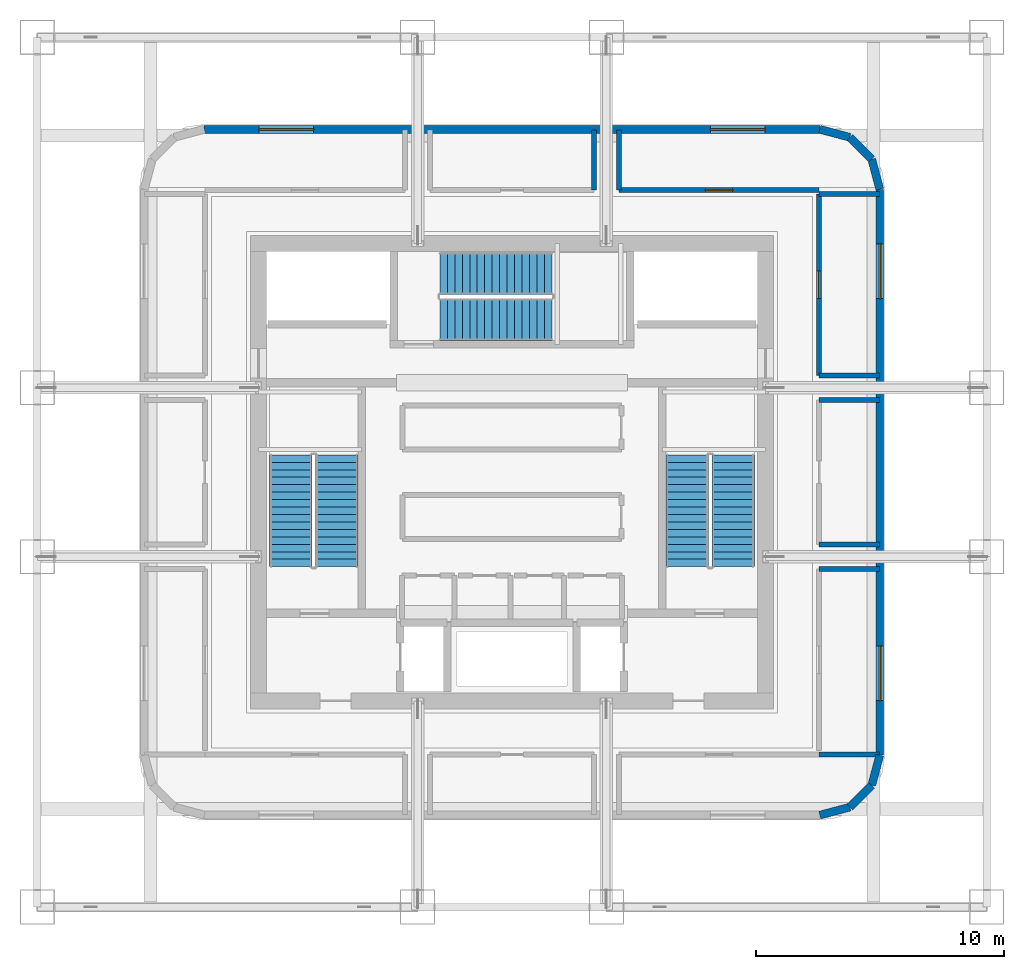
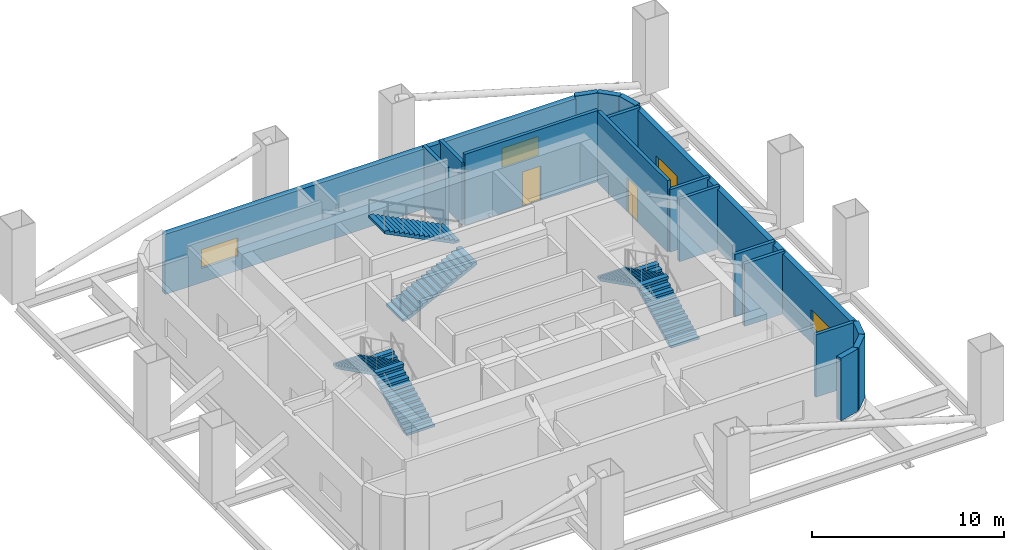
# One storey, part 6 of 9: 18 walls, 6 stair flights, 4 windows, 2 doors, 6 openings, 3 elements without a shape of their own.
"""IFC4 building model written with IfcOpenShell, lengths in metres."""

import ifcopenshell
import ifcopenshell.guid

model = None  # the IFC model being written
_history = None  # IfcOwnerHistory: only IFC2X3 demands one
_inside = {}  # id of a spatial element -> (the spatial element, [elements in it])
_under = {}  # id of a project, library or spatial element -> (it, [spatial elements below it])
_declared = {}  # id of a project -> (the project, [libraries it declares])
_typed = {}  # id of a type object -> (the type object, [elements of that type])
_made_of = {}  # id of a material, layer set ... -> (it, [elements and type objects made of it])


def new_model(schema):
    """Start an empty IFC model of exactly this schema.

    Asked for "IFC4X3", IfcOpenShell would pick the latest addendum, in which some entities
    have other attributes; the version numbers below select the first issue.
    IFC2X3 requires an IfcOwnerHistory on every rooted entity: one is made here for all.
    """
    global model, _history
    if schema == "IFC4X3":
        model = ifcopenshell.file(schema_version=(4, 3, 0, 0))
    else:
        model = ifcopenshell.file(schema=schema)
    _inside.clear()
    _under.clear()
    _declared.clear()
    _typed.clear()
    _made_of.clear()
    _history = None
    if model.schema == "IFC2X3":
        org = make("IfcOrganization", Name="unknown")
        user = make(
            "IfcPersonAndOrganization",
            ThePerson=make("IfcPerson", FamilyName="unknown"),
            TheOrganization=org,
        )
        app = make(
            "IfcApplication",
            ApplicationDeveloper=org,
            Version="unknown",
            ApplicationFullName="unknown",
            ApplicationIdentifier="unknown",
        )
        _history = make(
            "IfcOwnerHistory",
            OwningUser=user,
            OwningApplication=app,
            ChangeAction="ADDED",
            CreationDate=0,
        )
    return model


def make(cls, **values):
    """One entity of the class cls with the attributes given. An attribute that is None is left unset."""
    return model.create_entity(
        cls, **{name: value for name, value in values.items() if value is not None}
    )


def rooted(cls, **values):
    """An entity with a GlobalId (a new one), such as an element, a storey or a relation."""
    return make(cls, GlobalId=ifcopenshell.guid.new(), OwnerHistory=_history, **values)


def si_unit(unit_type, name, prefix=None):
    """IfcSIUnit, for example si_unit("LENGTHUNIT", "METRE", prefix="MILLI")."""
    return make("IfcSIUnit", UnitType=unit_type, Prefix=prefix, Name=name)


def assignment(units):
    """IfcUnitAssignment: the units of a project."""
    return None if units is None else make("IfcUnitAssignment", Units=units)


def point(xyz):
    """IfcCartesianPoint."""
    return None if xyz is None else make("IfcCartesianPoint", Coordinates=xyz)


def direction(xyz):
    """IfcDirection."""
    return None if xyz is None else make("IfcDirection", DirectionRatios=xyz)


def frame(location, z_axis=None, x_axis=None):
    """IfcAxis2Placement3D, a coordinate frame: its origin and axes. An axis left out is left unset."""
    return make(
        "IfcAxis2Placement3D",
        Location=point(location),
        Axis=direction(z_axis),
        RefDirection=direction(x_axis),
    )


def frame_2d(location, x_axis=None):
    """IfcAxis2Placement2D, a coordinate frame in the plane: its origin and x axis."""
    return make(
        "IfcAxis2Placement2D", Location=point(location), RefDirection=direction(x_axis)
    )


def origin():
    """The frame at (0, 0, 0) with its axes left unset."""
    return frame((0.0, 0.0, 0.0))


def place(relative_to, where):
    """IfcLocalPlacement: puts the frame where relative to a parent placement (None: the world)."""
    return make(
        "IfcLocalPlacement", PlacementRelTo=relative_to, RelativePlacement=where
    )


def context(
    kind, dimensions, precision=None, world=None, true_north=None, identifier=None
):
    """IfcGeometricRepresentationContext, for example the 3D "Model" context."""
    return make(
        "IfcGeometricRepresentationContext",
        ContextIdentifier=identifier,
        ContextType=kind,
        CoordinateSpaceDimension=dimensions,
        Precision=precision,
        WorldCoordinateSystem=world,
        TrueNorth=true_north,
    )


def subcontext(parent, identifier, kind, view, scale=None):
    """IfcGeometricRepresentationSubContext, for example "Body" below "Model"."""
    return make(
        "IfcGeometricRepresentationSubContext",
        ContextIdentifier=identifier,
        ContextType=kind,
        ParentContext=parent,
        TargetScale=scale,
        TargetView=view,
    )


def project(units=None, contexts=None):
    """IfcProject with its units and contexts."""
    return rooted(
        "IfcProject",
        Name="project",
        RepresentationContexts=contexts,
        UnitsInContext=assignment(units),
    )


def spatial(cls, under=None, at=None, **own):
    """A site, building, storey or space (cls), placed at a placement, below another one or the project."""
    s = rooted(cls, ObjectPlacement=at, **own)
    if under is not None:
        _under.setdefault(under.id(), (under, []))[1].append(s)
    return s


def polyline(points):
    """IfcPolyline through the points."""
    return make("IfcPolyline", Points=[point(p) for p in points])


def profile(cls, at=None, kind="AREA", **sizes):
    """A parametric profile (cls). Its sizes go by their IFC names, for example OverallWidth=200.0."""
    return make(cls, ProfileType=kind, Position=at, **sizes)


def rectangle(**sizes):
    """IfcRectangleProfileDef."""
    return profile("IfcRectangleProfileDef", **sizes)


def outline(outer, holes=None, kind="AREA"):
    """IfcArbitraryClosedProfileDef: a profile drawn as a closed curve; with holes, ...WithVoids."""
    if holes is None:
        return make("IfcArbitraryClosedProfileDef", ProfileType=kind, OuterCurve=outer)
    return make(
        "IfcArbitraryProfileDefWithVoids",
        ProfileType=kind,
        OuterCurve=outer,
        InnerCurves=holes,
    )


def extrude(swept, where, along, depth):
    """IfcExtrudedAreaSolid: the profile swept, set in the frame where, extruded along a direction by depth."""
    return make(
        "IfcExtrudedAreaSolid",
        SweptArea=swept,
        Position=where,
        ExtrudedDirection=direction(along),
        Depth=depth,
    )


def shape(context_of_items, identifier, shape_type, items):
    """IfcShapeRepresentation: the items that make up one representation, for example the "Body"."""
    return make(
        "IfcShapeRepresentation",
        ContextOfItems=context_of_items,
        RepresentationIdentifier=identifier,
        RepresentationType=shape_type,
        Items=items,
    )


def material(Name=None, Category=None):
    """IfcMaterial."""
    return make("IfcMaterial", Name=Name, Category=Category)


def layer(
    of_material, thickness, ventilated=None, Name=None, Category=None, Priority=None
):
    """IfcMaterialLayer: one layer of a wall or slab, of a material (None: an air gap)."""
    return make(
        "IfcMaterialLayer",
        Material=of_material,
        LayerThickness=thickness,
        IsVentilated=ventilated,
        Name=Name,
        Category=Category,
        Priority=Priority,
    )


def layer_set(layers, Name=None):
    """IfcMaterialLayerSet."""
    return make("IfcMaterialLayerSet", MaterialLayers=layers, LayerSetName=Name)


def made_of(thing, what):
    """Note that an element or type object is made of a material, layer set ...; save() writes the relation."""
    if what is not None:
        _made_of.setdefault(what.id(), (what, []))[1].append(thing)
    return thing


def type_object(cls, material=None, **own):
    """A type object (cls), such as IfcWallType, which elements share."""
    return made_of(rooted(cls, **own), material)


def element(
    cls,
    number,
    at=None,
    inside=None,
    cuts=None,
    type_object=None,
    material=None,
    context=None,
    identifier="Body",
    shape_type=None,
    held_by="IfcProductDefinitionShape",
    body=None,
    shapes=None,
    **own,
):
    """One element of the class cls, such as IfcWall. Its Tag is "e" and its number.

    at: its placement. inside: the storey or other place that contains it. cuts: it is an
    opening in that element (IfcRelVoidsElement). A single representation is given by context,
    identifier, shape_type and body (its items); several are given by shapes. held_by: the class
    of the entity that holds the representations. save() writes the other relations.
    """
    e = rooted(cls, Tag="e%d" % number, ObjectPlacement=at, **own)
    if body is not None:
        shapes = [shape(context, identifier, shape_type, body)]
    if shapes is not None:
        e.Representation = make(held_by, Representations=shapes)
    if inside is not None:
        _inside.setdefault(inside.id(), (inside, []))[1].append(e)
    if cuts is not None:
        rooted(
            "IfcRelVoidsElement", RelatingBuildingElement=cuts, RelatedOpeningElement=e
        )
    if type_object is not None:
        _typed.setdefault(type_object.id(), (type_object, []))[1].append(e)
    return made_of(e, material)


def fill(opening, filler):
    """IfcRelFillsElement: the door or window that sits in an opening."""
    return rooted(
        "IfcRelFillsElement",
        RelatingOpeningElement=opening,
        RelatedBuildingElement=filler,
    )


def aggregate(whole, parts):
    """IfcRelAggregates: a whole, such as a stair, and the parts it consists of."""
    return rooted("IfcRelAggregates", RelatingObject=whole, RelatedObjects=parts)


def save(model, path):
    """Write the relations noted so far, then the file.

    IfcRelAggregates (storeys below a building ...), IfcRelContainedInSpatialStructure (elements
    in a storey), IfcRelDefinesByType, IfcRelAssociatesMaterial and IfcRelDeclares: one each for
    every whole, place, type object, material and project.
    """
    for whole, parts in _under.values():
        aggregate(whole, parts)
    for where, things in _inside.values():
        rooted(
            "IfcRelContainedInSpatialStructure",
            RelatedElements=things,
            RelatingStructure=where,
        )
    for kind, things in _typed.values():
        rooted("IfcRelDefinesByType", RelatedObjects=things, RelatingType=kind)
    for what, things in _made_of.values():
        rooted("IfcRelAssociatesMaterial", RelatedObjects=things, RelatingMaterial=what)
    for by, libraries in _declared.values():
        rooted("IfcRelDeclares", RelatingContext=by, RelatedDefinitions=libraries)
    model.write(path)


model = new_model("IFC4")

# Units and contexts
model_context = context("Model", 3, precision=1e-05, world=origin(), true_north=direction((0.0, 1.0)))
body_context = subcontext(model_context, "Body", "Model", "MODEL_VIEW")
ifc_project = project(units=[si_unit("LENGTHUNIT", "METRE"), si_unit("AREAUNIT", "SQUARE_METRE"), si_unit("VOLUMEUNIT", "CUBIC_METRE"), si_unit("PLANEANGLEUNIT", "RADIAN"), si_unit("MASSUNIT", "GRAM", prefix="KILO")], contexts=[model_context])

# Site, building, storey
site_placement = place(None, origin())
site = spatial("IfcSite", under=ifc_project, at=site_placement, CompositionType="ELEMENT")
building_placement = place(site_placement, origin())
building = spatial("IfcBuilding", under=site, at=building_placement, Name="Punatoya Terracotta Tower", CompositionType="ELEMENT")
storey_placement = place(building_placement, frame((0.0, 0.0, 130.199951171875)))
storey = spatial("IfcBuildingStorey", under=building, at=storey_placement, Name="L30", CompositionType="ELEMENT", Elevation=130.199951171875)

# Walls
ifc_material_1 = material(Name="Precast concrete C40/50", Category="concrete")
ifc_layer_1 = layer(ifc_material_1, 0.320068359375)
ifc_layer_set_1 = layer_set([ifc_layer_1], Name="Precast concrete C40/50")
wall_type_1 = type_object("IfcWallType", Name="WL-EXT-320", PredefinedType="SOLIDWALL", material=ifc_layer_set_1)
wall_1_placement = place(storey_placement, frame((12.386962890625, -13.800048828125, 0.0), z_axis=(0.0, 0.0, 1.0), x_axis=(0.966283375382, 0.25748094776, 0.0)))
element("IfcWall", 1, at=wall_1_placement, inside=storey, type_object=wall_type_1, Name="L30 Rounded Terracotta Corner Pier 02", PredefinedType="SOLIDWALL", context=body_context, shape_type="SweptSolid", body=[
    extrude(rectangle(XDim=1.25439453125, YDim=0.320068359375, at=frame_2d((0.627197265625, 0.0))), origin(), (0.0, 0.0, 1.0), 3.984130859375),
])
wall_2_placement = place(storey_placement, frame((13.59912109375, -13.47705078125, 0.0), z_axis=(0.0, 0.0, 1.0), x_axis=(0.707106781187, 0.707106781187, 0.0)))
element("IfcWall", 2, at=wall_2_placement, inside=storey, type_object=wall_type_1, Name="L30 Rounded Terracotta Corner Pier 03", PredefinedType="SOLIDWALL", context=body_context, shape_type="SweptSolid", body=[
    extrude(rectangle(XDim=1.24169921875, YDim=0.320068359375, at=frame_2d((0.620849609375, 0.0))), origin(), (0.0, 0.0, 1.0), 3.984130859375),
])
wall_3_placement = place(storey_placement, frame((14.47705078125, -12.59912109375, 0.0), z_axis=(0.0, 0.0, 1.0), x_axis=(0.25748094776, 0.966283375382, 0.0)))
element("IfcWall", 3, at=wall_3_placement, inside=storey, type_object=wall_type_1, Name="L30 Rounded Terracotta Corner Pier 04", PredefinedType="SOLIDWALL", context=body_context, shape_type="SweptSolid", body=[
    extrude(rectangle(XDim=1.25439453125, YDim=0.320068359375, at=frame_2d((0.627197265625, 0.0))), origin(), (0.0, 0.0, 1.0), 3.984130859375),
])

# Wall, openings, windows
wall_4_placement = place(storey_placement, frame((14.800048828125, -11.386962890625, 0.0), z_axis=(0.0, 0.0, 1.0), x_axis=(0.0, 1.0, 0.0)))
wall_4 = element("IfcWall", 4, at=wall_4_placement, inside=storey, type_object=wall_type_1, Name="L30 Terracotta Louvre Plant Enclosure E", PredefinedType="SOLIDWALL", context=body_context, shape_type="SweptSolid", body=[
    extrude(rectangle(XDim=22.77392578125, YDim=0.320068359375, at=frame_2d((11.386962890625, 0.0))), origin(), (0.0, 0.0, 1.0), 3.833984375),
])
opening_1_placement = place(wall_4_placement, frame((2.199951171875, 0.0, 0.89990234375)))
opening_1 = element("IfcOpeningElement", 5, at=opening_1_placement, cuts=wall_4, Name="Opening WN-09", PredefinedType="OPENING", context=body_context, shape_type="SweptSolid", body=[
    extrude(rectangle(XDim=2.199951171875, YDim=1.199951171875, at=frame_2d((1.10009765625, 0.60009765625))), frame((0.0, 0.169921875, 0.0), z_axis=(0.0, -1.0, 0.0), x_axis=(1.0, 0.0, 0.0)), (0.0, 0.0, 1.0), 0.340087890625),
])
opening_2_placement = place(wall_4_placement, frame((18.373779296875, 0.0, 0.89990234375)))
opening_2 = element("IfcOpeningElement", 6, at=opening_2_placement, cuts=wall_4, Name="Opening WN-09", PredefinedType="OPENING", context=body_context, shape_type="SweptSolid", body=[
    extrude(rectangle(XDim=2.199951171875, YDim=1.199951171875, at=frame_2d((1.10009765625, 0.60009765625))), frame((0.0, 0.169921875, 0.0), z_axis=(0.0, -1.0, 0.0), x_axis=(1.0, 0.0, 0.0)), (0.0, 0.0, 1.0), 0.340087890625),
])
ifc_material_2 = material(Name="Aluminium 6063-T6 + Double Low-E Glass", Category="aluminium")
window_type = type_object("IfcWindowType", Name="WIN-CLR-2200", PartitioningType="SINGLE_PANEL", PredefinedType="WINDOW", material=ifc_material_2)
window_1_placement = place(opening_1_placement, origin())
window_1 = element("IfcWindow", 7, at=window_1_placement, inside=storey, type_object=window_type, Name="L30 Refuge Daylight Window E1", OverallHeight=1.199951171875, OverallWidth=2.199951171875, PartitioningType="SINGLE_PANEL", PredefinedType="WINDOW", context=body_context, shape_type="SweptSolid", body=[
    extrude(rectangle(XDim=2.199951171875, YDim=1.199951171875, at=frame_2d((1.10009765625, 0.60009765625))), frame((0.0, 0.030029296875, 0.0), z_axis=(0.0, -1.0, 0.0), x_axis=(1.0, 0.0, 0.0)), (0.0, 0.0, 1.0), 0.06005859375),
])
fill(opening_1, window_1)
window_2_placement = place(opening_2_placement, origin())
window_2 = element("IfcWindow", 8, at=window_2_placement, inside=storey, type_object=window_type, Name="L30 Refuge Daylight Window E2", OverallHeight=1.199951171875, OverallWidth=2.199951171875, PartitioningType="SINGLE_PANEL", PredefinedType="WINDOW", context=body_context, shape_type="SweptSolid", body=[
    extrude(rectangle(XDim=2.199951171875, YDim=1.199951171875, at=frame_2d((1.10009765625, 0.60009765625))), frame((0.0, 0.030029296875, 0.0), z_axis=(0.0, -1.0, 0.0), x_axis=(1.0, 0.0, 0.0)), (0.0, 0.0, 1.0), 0.06005859375),
])
fill(opening_2, window_2)

# Walls
wall_5_placement = place(storey_placement, frame((14.800048828125, 11.386962890625, 0.0), z_axis=(0.0, 0.0, 1.0), x_axis=(-0.25748094776, 0.966283375382, 0.0)))
element("IfcWall", 9, at=wall_5_placement, inside=storey, type_object=wall_type_1, Name="L30 Rounded Terracotta Corner Pier 06", PredefinedType="SOLIDWALL", context=body_context, shape_type="SweptSolid", body=[
    extrude(rectangle(XDim=1.25439453125, YDim=0.320068359375, at=frame_2d((0.627197265625, 0.0))), origin(), (0.0, 0.0, 1.0), 3.984130859375),
])
wall_6_placement = place(storey_placement, frame((14.47705078125, 12.59912109375, 0.0), z_axis=(0.0, 0.0, 1.0), x_axis=(-0.707106781187, 0.707106781187, 0.0)))
element("IfcWall", 10, at=wall_6_placement, inside=storey, type_object=wall_type_1, Name="L30 Rounded Terracotta Corner Pier 07", PredefinedType="SOLIDWALL", context=body_context, shape_type="SweptSolid", body=[
    extrude(rectangle(XDim=1.24169921875, YDim=0.320068359375, at=frame_2d((0.620849609375, 0.0))), origin(), (0.0, 0.0, 1.0), 3.984130859375),
])
wall_7_placement = place(storey_placement, frame((13.59912109375, 13.47705078125, 0.0), z_axis=(0.0, 0.0, 1.0), x_axis=(-0.966283375382, 0.25748094776, 0.0)))
element("IfcWall", 11, at=wall_7_placement, inside=storey, type_object=wall_type_1, Name="L30 Rounded Terracotta Corner Pier 08", PredefinedType="SOLIDWALL", context=body_context, shape_type="SweptSolid", body=[
    extrude(rectangle(XDim=1.25439453125, YDim=0.320068359375, at=frame_2d((0.627197265625, 0.0))), origin(), (0.0, 0.0, 1.0), 3.984130859375),
])

# Wall, openings, windows
wall_8_placement = place(storey_placement, frame((12.386962890625, 13.800048828125, 0.0), z_axis=(0.0, 0.0, 1.0), x_axis=(-1.0, 0.0, 0.0)))
wall_8 = element("IfcWall", 12, at=wall_8_placement, inside=storey, type_object=wall_type_1, Name="L30 Terracotta Louvre Plant Enclosure N", PredefinedType="SOLIDWALL", context=body_context, shape_type="SweptSolid", body=[
    extrude(rectangle(XDim=24.77392578125, YDim=0.320068359375, at=frame_2d((12.386962890625, 0.0))), origin(), (0.0, 0.0, 1.0), 3.833984375),
])
opening_3_placement = place(wall_8_placement, frame((2.199951171875, 0.0, 0.89990234375)))
opening_3 = element("IfcOpeningElement", 13, at=opening_3_placement, cuts=wall_8, Name="Opening WN-09", PredefinedType="OPENING", context=body_context, shape_type="SweptSolid", body=[
    extrude(rectangle(XDim=2.199951171875, YDim=1.199951171875, at=frame_2d((1.10009765625, 0.60009765625))), frame((0.0, 0.169921875, 0.0), z_axis=(0.0, -1.0, 0.0), x_axis=(1.0, 0.0, 0.0)), (0.0, 0.0, 1.0), 0.340087890625),
])
opening_4_placement = place(wall_8_placement, frame((20.373779296875, 0.0, 0.89990234375)))
opening_4 = element("IfcOpeningElement", 14, at=opening_4_placement, cuts=wall_8, Name="Opening WN-09", PredefinedType="OPENING", context=body_context, shape_type="SweptSolid", body=[
    extrude(rectangle(XDim=2.199951171875, YDim=1.199951171875, at=frame_2d((1.10009765625, 0.60009765625))), frame((0.0, 0.169921875, 0.0), z_axis=(0.0, -1.0, 0.0), x_axis=(1.0, 0.0, 0.0)), (0.0, 0.0, 1.0), 0.340087890625),
])
window_3_placement = place(opening_3_placement, origin())
window_3 = element("IfcWindow", 15, at=window_3_placement, inside=storey, type_object=window_type, Name="L30 Refuge Daylight Window N1", OverallHeight=1.199951171875, OverallWidth=2.199951171875, PartitioningType="SINGLE_PANEL", PredefinedType="WINDOW", context=body_context, shape_type="SweptSolid", body=[
    extrude(rectangle(XDim=2.199951171875, YDim=1.199951171875, at=frame_2d((1.10009765625, 0.60009765625))), frame((0.0, 0.030029296875, 0.0), z_axis=(0.0, -1.0, 0.0), x_axis=(1.0, 0.0, 0.0)), (0.0, 0.0, 1.0), 0.06005859375),
])
fill(opening_3, window_3)
window_4_placement = place(opening_4_placement, origin())
window_4 = element("IfcWindow", 16, at=window_4_placement, inside=storey, type_object=window_type, Name="L30 Refuge Daylight Window N2", OverallHeight=1.199951171875, OverallWidth=2.199951171875, PartitioningType="SINGLE_PANEL", PredefinedType="WINDOW", context=body_context, shape_type="SweptSolid", body=[
    extrude(rectangle(XDim=2.199951171875, YDim=1.199951171875, at=frame_2d((1.10009765625, 0.60009765625))), frame((0.0, 0.030029296875, 0.0), z_axis=(0.0, -1.0, 0.0), x_axis=(1.0, 0.0, 0.0)), (0.0, 0.0, 1.0), 0.06005859375),
])
fill(opening_4, window_4)

# Walls
ifc_material_3 = material(Name="Concrete C40/50", Category="concrete")
ifc_layer_2 = layer(ifc_material_3, 0.199951171875)
ifc_layer_set_2 = layer_set([ifc_layer_2], Name="Concrete C40/50")
wall_type_2 = type_object("IfcWallType", Name="WL-INT-200", PredefinedType="SOLIDWALL", material=ifc_layer_set_2)
for number, where, z_axis, x_axis, name in (
    (17, (12.360107421875, -11.35009765625, 0.0), (0.0, 0.0, 1.0), (1.0, 0.0, 0.0), "L30 South AHU Mechanical Plant Room (East Bay) Partition 26"),
    (18, (12.360107421875, -3.89990234375, 0.0), (0.0, 0.0, 1.0), (1.0, 0.0, 0.0), "L30 East Outrigger Truss & Heat-Exchanger Plant Room (South Bay) Partition 35"),
    (19, (12.360107421875, 2.89990234375, 0.0), (0.0, 0.0, 1.0), (1.0, 0.0, 0.0), "L30 East Outrigger Truss & Heat-Exchanger Plant Room (Central Bay) Partition 38"),
    (20, (14.780029296875, -2.89990234375, 0.0), (0.0, 0.0, 1.0), (-1.0, 0.0, 0.0), "L30 East Outrigger Truss & Heat-Exchanger Plant Room (Central Bay) Partition 39"),
    (21, (14.780029296875, 3.89990234375, 0.0), (0.0, 0.0, 1.0), (-1.0, 0.0, 0.0), "L30 East Outrigger Truss & Heat-Exchanger Plant Room (North Bay) Partition 40"),
):
    element("IfcWall", number, at=place(storey_placement, frame(where, z_axis=z_axis, x_axis=x_axis)), inside=storey, type_object=wall_type_2, Name=name, PredefinedType="SOLIDWALL", context=body_context, shape_type="SweptSolid", body=[
        extrude(rectangle(XDim=2.419921875, YDim=0.199951171875, at=frame_2d((1.2099609375, 0.0))), origin(), (0.0, 0.0, 1.0), 3.984130859375),
    ])

# Wall, opening, door
wall_9_placement = place(storey_placement, frame((12.360107421875, 3.89990234375, 0.0), z_axis=(0.0, 0.0, 1.0), x_axis=(0.0, 1.0, 0.0)))
wall_9 = element("IfcWall", 22, at=wall_9_placement, inside=storey, type_object=wall_type_2, Name="L30 East Outrigger Truss & Heat-Exchanger Plant Room (North Bay) Partition 41", PredefinedType="SOLIDWALL", context=body_context, shape_type="SweptSolid", body=[
    extrude(rectangle(XDim=7.300048828125, YDim=0.199951171875, at=frame_2d((3.64990234375, 0.0))), origin(), (0.0, 0.0, 1.0), 4.5400390625),
])
opening_5_placement = place(wall_9_placement, frame((3.10009765625, 0.0, 0.0)))
opening_5 = element("IfcOpeningElement", 23, at=opening_5_placement, cuts=wall_9, Name="Opening FD-P1", PredefinedType="OPENING", context=body_context, shape_type="SweptSolid", body=[
    extrude(rectangle(XDim=1.10009765625, YDim=2.199951171875, at=frame_2d((0.550048828125, 1.10009765625))), frame((0.0, 0.10986328125, 0.0), z_axis=(0.0, -1.0, 0.0), x_axis=(1.0, 0.0, 0.0)), (0.0, 0.0, 1.0), 0.219970703125),
])
ifc_material_4 = material(Name="Galvanised Steel Plant Fire Door", Category="steel")
door_type = type_object("IfcDoorType", Name="DR-PLT-1100", OperationType="NOTDEFINED", PredefinedType="DOOR", material=ifc_material_4)
door_1_placement = place(opening_5_placement, origin())
door_1 = element("IfcDoor", 24, at=door_1_placement, inside=storey, type_object=door_type, Name="L30 East Outrigger Truss & Heat-Exchanger Plant Room (North Bay) Fire Door", OperationType="SINGLE_SWING_LEFT", OverallHeight=2.199951171875, OverallWidth=1.10009765625, PredefinedType="DOOR", context=body_context, shape_type="SweptSolid", body=[
    extrude(rectangle(XDim=1.10009765625, YDim=2.199951171875, at=frame_2d((0.550048828125, 1.10009765625))), frame((0.0, 0.02490234375, 0.0), z_axis=(0.0, -1.0, 0.0), x_axis=(1.0, 0.0, 0.0)), (0.0, 0.0, 1.0), 0.050048828125),
])
fill(opening_5, door_1)

# Walls
for number, where, z_axis, x_axis, name in (
    (25, (12.360107421875, 11.199951171875, 0.0), (0.0, 0.0, 1.0), (1.0, 0.0, 0.0), "L30 East Outrigger Truss & Heat-Exchanger Plant Room (North Bay) Partition 42"),
    (26, (3.300048828125, 13.780029296875, 0.0), (0.0, 0.0, 1.0), (0.0, -1.0, 0.0), "L30 Designated Pressurized Refuge Area North (Central Bay) Partition 47"),
):
    element("IfcWall", number, at=place(storey_placement, frame(where, z_axis=z_axis, x_axis=x_axis)), inside=storey, type_object=wall_type_2, Name=name, PredefinedType="SOLIDWALL", context=body_context, shape_type="SweptSolid", body=[
        extrude(rectangle(XDim=2.419921875, YDim=0.199951171875, at=frame_2d((1.2099609375, 0.0))), origin(), (0.0, 0.0, 1.0), 3.984130859375),
    ])

# Wall, opening, door
wall_10_placement = place(storey_placement, frame((12.360107421875, 11.360107421875, 0.0), z_axis=(0.0, 0.0, 1.0), x_axis=(-1.0, 0.0, 0.0)))
wall_10 = element("IfcWall", 27, at=wall_10_placement, inside=storey, type_object=wall_type_2, Name="L30 Designated Pressurized Refuge Area North (East Bay) Partition 48", PredefinedType="SOLIDWALL", context=body_context, shape_type="SweptSolid", body=[
    extrude(rectangle(XDim=8.06005859375, YDim=0.199951171875, at=frame_2d((4.030029296875, 0.0))), origin(), (0.0, 0.0, 1.0), 4.5400390625),
])
opening_6_placement = place(wall_10_placement, frame((3.47998046875, 0.0, 0.0)))
opening_6 = element("IfcOpeningElement", 28, at=opening_6_placement, cuts=wall_10, Name="Opening FD-P1", PredefinedType="OPENING", context=body_context, shape_type="SweptSolid", body=[
    extrude(rectangle(XDim=1.10009765625, YDim=2.199951171875, at=frame_2d((0.550048828125, 1.10009765625))), frame((0.0, 0.10986328125, 0.0), z_axis=(0.0, -1.0, 0.0), x_axis=(1.0, 0.0, 0.0)), (0.0, 0.0, 1.0), 0.219970703125),
])
door_2_placement = place(opening_6_placement, origin())
door_2 = element("IfcDoor", 29, at=door_2_placement, inside=storey, type_object=door_type, Name="L30 Designated Pressurized Refuge Area North (East Bay) Fire Door", OperationType="SINGLE_SWING_RIGHT", OverallHeight=2.199951171875, OverallWidth=1.10009765625, PredefinedType="DOOR", context=body_context, shape_type="SweptSolid", body=[
    extrude(rectangle(XDim=1.10009765625, YDim=2.199951171875, at=frame_2d((0.550048828125, 1.10009765625))), frame((0.0, 0.02490234375, 0.0), z_axis=(0.0, -1.0, 0.0), x_axis=(1.0, 0.0, 0.0)), (0.0, 0.0, 1.0), 0.050048828125),
])
fill(opening_6, door_2)

# Wall
wall_11_placement = place(storey_placement, frame((4.300048828125, 11.360107421875, 0.0), z_axis=(0.0, 0.0, 1.0), x_axis=(0.0, 1.0, 0.0)))
element("IfcWall", 30, at=wall_11_placement, inside=storey, type_object=wall_type_2, Name="L30 Designated Pressurized Refuge Area North (East Bay) Partition 49", PredefinedType="SOLIDWALL", context=body_context, shape_type="SweptSolid", body=[
    extrude(rectangle(XDim=2.419921875, YDim=0.199951171875, at=frame_2d((1.2099609375, 0.0))), origin(), (0.0, 0.0, 1.0), 3.984130859375),
])

# Stair, stair flights
stair_type_1 = type_object("IfcStairType", Name="STR-CORE-1550", PredefinedType="HALF_TURN_STAIR", material=ifc_material_3)
stair_1_placement = place(storey_placement, origin())
stair_1 = element("IfcStair", 31, at=stair_1_placement, inside=storey, type_object=stair_type_1, Name="L30 Protected Core Exit Stair ST-1", PredefinedType="HALF_TURN_STAIR")
stair_flight_type_1 = type_object("IfcStairFlightType", Name="SFL-CORE-1550", PredefinedType="STRAIGHT", material=ifc_material_3)
stair_flight_1_placement = place(storey_placement, frame((-7.050048828125, -3.800048828125, 0.0), z_axis=(0.0, 0.0, 1.0), x_axis=(0.0, 1.0, 0.0)))
stair_flight_1 = element("IfcStairFlight", 32, at=stair_flight_1_placement, type_object=stair_flight_type_1, Name="ST-1 flight 1", NumberOfRisers=16, NumberOfTreads=15, PredefinedType="STRAIGHT", RiserHeight=0.15, TreadLength=0.3, context=body_context, shape_type="SweptSolid", body=[
    extrude(outline(polyline([(0.0, 0.0), (0.0, 0.14990234375), (0.300048828125, 0.14990234375), (0.300048828125, 0.300048828125), (0.60009765625, 0.300048828125), (0.60009765625, 0.449951171875), (0.89990234375, 0.449951171875), (0.89990234375, 0.60009765625), (1.199951171875, 0.60009765625), (1.199951171875, 0.75), (1.5, 0.75), (1.5, 0.89990234375), (1.800048828125, 0.89990234375), (1.800048828125, 1.050048828125), (2.10009765625, 1.050048828125), (2.10009765625, 1.199951171875), (2.39990234375, 1.199951171875), (2.39990234375, 1.35009765625), (2.699951171875, 1.35009765625), (2.699951171875, 1.5), (3.0, 1.5), (3.0, 1.64990234375), (3.300048828125, 1.64990234375), (3.300048828125, 1.800048828125), (3.60009765625, 1.800048828125), (3.60009765625, 1.949951171875), (3.89990234375, 1.949951171875), (3.89990234375, 2.10009765625), (4.199951171875, 2.10009765625), (4.199951171875, 2.25), (4.5, 2.25), (4.5, 2.39990234375), (4.5, 2.08251953125), (0.335205078125, 0.0), (0.0, 0.0)])), frame((0.0, 0.85009765625, 0.0), z_axis=(0.0, -1.0, 0.0), x_axis=(1.0, 0.0, 0.0)), (0.0, 0.0, 1.0), 1.699951171875),
])
stair_flight_2_placement = place(storey_placement, frame((-8.89990234375, 0.699951171875, 2.400146484375), z_axis=(0.0, 0.0, 1.0), x_axis=(0.0, -1.0, 0.0)))
stair_flight_2 = element("IfcStairFlight", 33, at=stair_flight_2_placement, type_object=stair_flight_type_1, Name="ST-1 flight 2", NumberOfRisers=16, NumberOfTreads=15, PredefinedType="STRAIGHT", RiserHeight=0.15, TreadLength=0.3, context=body_context, shape_type="SweptSolid", body=[
    extrude(outline(polyline([(0.0, 0.0), (0.0, 0.14990234375), (0.300048828125, 0.14990234375), (0.300048828125, 0.300048828125), (0.60009765625, 0.300048828125), (0.60009765625, 0.449951171875), (0.89990234375, 0.449951171875), (0.89990234375, 0.60009765625), (1.199951171875, 0.60009765625), (1.199951171875, 0.75), (1.5, 0.75), (1.5, 0.89990234375), (1.800048828125, 0.89990234375), (1.800048828125, 1.050048828125), (2.10009765625, 1.050048828125), (2.10009765625, 1.199951171875), (2.39990234375, 1.199951171875), (2.39990234375, 1.35009765625), (2.699951171875, 1.35009765625), (2.699951171875, 1.5), (3.0, 1.5), (3.0, 1.64990234375), (3.300048828125, 1.64990234375), (3.300048828125, 1.800048828125), (3.60009765625, 1.800048828125), (3.60009765625, 1.949951171875), (3.89990234375, 1.949951171875), (3.89990234375, 2.10009765625), (4.199951171875, 2.10009765625), (4.199951171875, 2.25), (4.5, 2.25), (4.5, 2.39990234375), (4.5, 2.08251953125), (0.335205078125, 0.0), (0.0, 0.0)])), frame((0.0, 0.85009765625, 0.0), z_axis=(0.0, -1.0, 0.0), x_axis=(1.0, 0.0, 0.0)), (0.0, 0.0, 1.0), 1.699951171875),
])
aggregate(stair_1, [stair_flight_1, stair_flight_2])

stair_type_2 = type_object("IfcStairType", Name="STR-LOB-1650", PredefinedType="HALF_TURN_STAIR", material=ifc_material_3)
stair_2_placement = place(storey_placement, origin())
stair_2 = element("IfcStair", 34, at=stair_2_placement, inside=storey, type_object=stair_type_2, Name="L30 Protected Core Exit Stair ST-2", PredefinedType="HALF_TURN_STAIR")
stair_flight_type_2 = type_object("IfcStairFlightType", Name="SFL-LOB-1650", PredefinedType="STRAIGHT", material=ifc_material_3)
stair_flight_3_placement = place(storey_placement, frame((8.89990234375, -3.800048828125, 0.0), z_axis=(0.0, 0.0, 1.0), x_axis=(0.0, 1.0, 0.0)))
stair_flight_3 = element("IfcStairFlight", 35, at=stair_flight_3_placement, type_object=stair_flight_type_2, Name="ST-2 flight 1", NumberOfRisers=16, NumberOfTreads=15, PredefinedType="STRAIGHT", RiserHeight=0.15, TreadLength=0.3, context=body_context, shape_type="SweptSolid", body=[
    extrude(outline(polyline([(0.0, 0.0), (0.0, 0.14990234375), (0.300048828125, 0.14990234375), (0.300048828125, 0.300048828125), (0.60009765625, 0.300048828125), (0.60009765625, 0.449951171875), (0.89990234375, 0.449951171875), (0.89990234375, 0.60009765625), (1.199951171875, 0.60009765625), (1.199951171875, 0.75), (1.5, 0.75), (1.5, 0.89990234375), (1.800048828125, 0.89990234375), (1.800048828125, 1.050048828125), (2.10009765625, 1.050048828125), (2.10009765625, 1.199951171875), (2.39990234375, 1.199951171875), (2.39990234375, 1.35009765625), (2.699951171875, 1.35009765625), (2.699951171875, 1.5), (3.0, 1.5), (3.0, 1.64990234375), (3.300048828125, 1.64990234375), (3.300048828125, 1.800048828125), (3.60009765625, 1.800048828125), (3.60009765625, 1.949951171875), (3.89990234375, 1.949951171875), (3.89990234375, 2.10009765625), (4.199951171875, 2.10009765625), (4.199951171875, 2.25), (4.5, 2.25), (4.5, 2.39990234375), (4.5, 2.08251953125), (0.335205078125, 0.0), (0.0, 0.0)])), frame((0.0, 0.85009765625, 0.0), z_axis=(0.0, -1.0, 0.0), x_axis=(1.0, 0.0, 0.0)), (0.0, 0.0, 1.0), 1.699951171875),
])
stair_flight_4_placement = place(storey_placement, frame((7.050048828125, 0.699951171875, 2.400146484375), z_axis=(0.0, 0.0, 1.0), x_axis=(0.0, -1.0, 0.0)))
stair_flight_4 = element("IfcStairFlight", 36, at=stair_flight_4_placement, type_object=stair_flight_type_2, Name="ST-2 flight 2", NumberOfRisers=16, NumberOfTreads=15, PredefinedType="STRAIGHT", RiserHeight=0.15, TreadLength=0.3, context=body_context, shape_type="SweptSolid", body=[
    extrude(outline(polyline([(0.0, 0.0), (0.0, 0.14990234375), (0.300048828125, 0.14990234375), (0.300048828125, 0.300048828125), (0.60009765625, 0.300048828125), (0.60009765625, 0.449951171875), (0.89990234375, 0.449951171875), (0.89990234375, 0.60009765625), (1.199951171875, 0.60009765625), (1.199951171875, 0.75), (1.5, 0.75), (1.5, 0.89990234375), (1.800048828125, 0.89990234375), (1.800048828125, 1.050048828125), (2.10009765625, 1.050048828125), (2.10009765625, 1.199951171875), (2.39990234375, 1.199951171875), (2.39990234375, 1.35009765625), (2.699951171875, 1.35009765625), (2.699951171875, 1.5), (3.0, 1.5), (3.0, 1.64990234375), (3.300048828125, 1.64990234375), (3.300048828125, 1.800048828125), (3.60009765625, 1.800048828125), (3.60009765625, 1.949951171875), (3.89990234375, 1.949951171875), (3.89990234375, 2.10009765625), (4.199951171875, 2.10009765625), (4.199951171875, 2.25), (4.5, 2.25), (4.5, 2.39990234375), (4.5, 2.08251953125), (0.335205078125, 0.0), (0.0, 0.0)])), frame((0.0, 0.85009765625, 0.0), z_axis=(0.0, -1.0, 0.0), x_axis=(1.0, 0.0, 0.0)), (0.0, 0.0, 1.0), 1.699951171875),
])
aggregate(stair_2, [stair_flight_3, stair_flight_4])

stair_type_3 = type_object("IfcStairType", Name="STR-TER-1450", PredefinedType="HALF_TURN_STAIR", material=ifc_material_3)
stair_3_placement = place(storey_placement, origin())
stair_3 = element("IfcStair", 37, at=stair_3_placement, inside=storey, type_object=stair_type_3, Name="L30 Protected Core Exit Stair ST-3", PredefinedType="HALF_TURN_STAIR")
stair_flight_type_3 = type_object("IfcStairFlightType", Name="SFL-TER-1450", PredefinedType="STRAIGHT", material=ifc_material_3)
stair_flight_5_placement = place(storey_placement, frame((-2.89990234375, 6.14990234375, 0.0), z_axis=(0.0, 0.0, 1.0), x_axis=(1.0, 0.0, 0.0)))
stair_flight_5 = element("IfcStairFlight", 38, at=stair_flight_5_placement, type_object=stair_flight_type_3, Name="ST-3 flight 1", NumberOfRisers=16, NumberOfTreads=15, PredefinedType="STRAIGHT", RiserHeight=0.15, TreadLength=0.3, context=body_context, shape_type="SweptSolid", body=[
    extrude(outline(polyline([(0.0, 0.0), (0.0, 0.14990234375), (0.300048828125, 0.14990234375), (0.300048828125, 0.300048828125), (0.60009765625, 0.300048828125), (0.60009765625, 0.449951171875), (0.89990234375, 0.449951171875), (0.89990234375, 0.60009765625), (1.199951171875, 0.60009765625), (1.199951171875, 0.75), (1.5, 0.75), (1.5, 0.89990234375), (1.800048828125, 0.89990234375), (1.800048828125, 1.050048828125), (2.10009765625, 1.050048828125), (2.10009765625, 1.199951171875), (2.39990234375, 1.199951171875), (2.39990234375, 1.35009765625), (2.699951171875, 1.35009765625), (2.699951171875, 1.5), (3.0, 1.5), (3.0, 1.64990234375), (3.300048828125, 1.64990234375), (3.300048828125, 1.800048828125), (3.60009765625, 1.800048828125), (3.60009765625, 1.949951171875), (3.89990234375, 1.949951171875), (3.89990234375, 2.10009765625), (4.199951171875, 2.10009765625), (4.199951171875, 2.25), (4.5, 2.25), (4.5, 2.39990234375), (4.5, 2.08251953125), (0.335205078125, 0.0), (0.0, 0.0)])), frame((0.0, 0.85009765625, 0.0), z_axis=(0.0, -1.0, 0.0), x_axis=(1.0, 0.0, 0.0)), (0.0, 0.0, 1.0), 1.699951171875),
])
stair_flight_6_placement = place(storey_placement, frame((1.60009765625, 8.0, 2.400146484375), z_axis=(0.0, 0.0, 1.0), x_axis=(-1.0, 0.0, 0.0)))
stair_flight_6 = element("IfcStairFlight", 39, at=stair_flight_6_placement, type_object=stair_flight_type_3, Name="ST-3 flight 2", NumberOfRisers=16, NumberOfTreads=15, PredefinedType="STRAIGHT", RiserHeight=0.15, TreadLength=0.3, context=body_context, shape_type="SweptSolid", body=[
    extrude(outline(polyline([(0.0, 0.0), (0.0, 0.14990234375), (0.300048828125, 0.14990234375), (0.300048828125, 0.300048828125), (0.60009765625, 0.300048828125), (0.60009765625, 0.449951171875), (0.89990234375, 0.449951171875), (0.89990234375, 0.60009765625), (1.199951171875, 0.60009765625), (1.199951171875, 0.75), (1.5, 0.75), (1.5, 0.89990234375), (1.800048828125, 0.89990234375), (1.800048828125, 1.050048828125), (2.10009765625, 1.050048828125), (2.10009765625, 1.199951171875), (2.39990234375, 1.199951171875), (2.39990234375, 1.35009765625), (2.699951171875, 1.35009765625), (2.699951171875, 1.5), (3.0, 1.5), (3.0, 1.64990234375), (3.300048828125, 1.64990234375), (3.300048828125, 1.800048828125), (3.60009765625, 1.800048828125), (3.60009765625, 1.949951171875), (3.89990234375, 1.949951171875), (3.89990234375, 2.10009765625), (4.199951171875, 2.10009765625), (4.199951171875, 2.25), (4.5, 2.25), (4.5, 2.39990234375), (4.5, 2.08251953125), (0.335205078125, 0.0), (0.0, 0.0)])), frame((0.0, 0.85009765625, 0.0), z_axis=(0.0, -1.0, 0.0), x_axis=(1.0, 0.0, 0.0)), (0.0, 0.0, 1.0), 1.699951171875),
])
aggregate(stair_3, [stair_flight_5, stair_flight_6])

save(model, "model.ifc")
